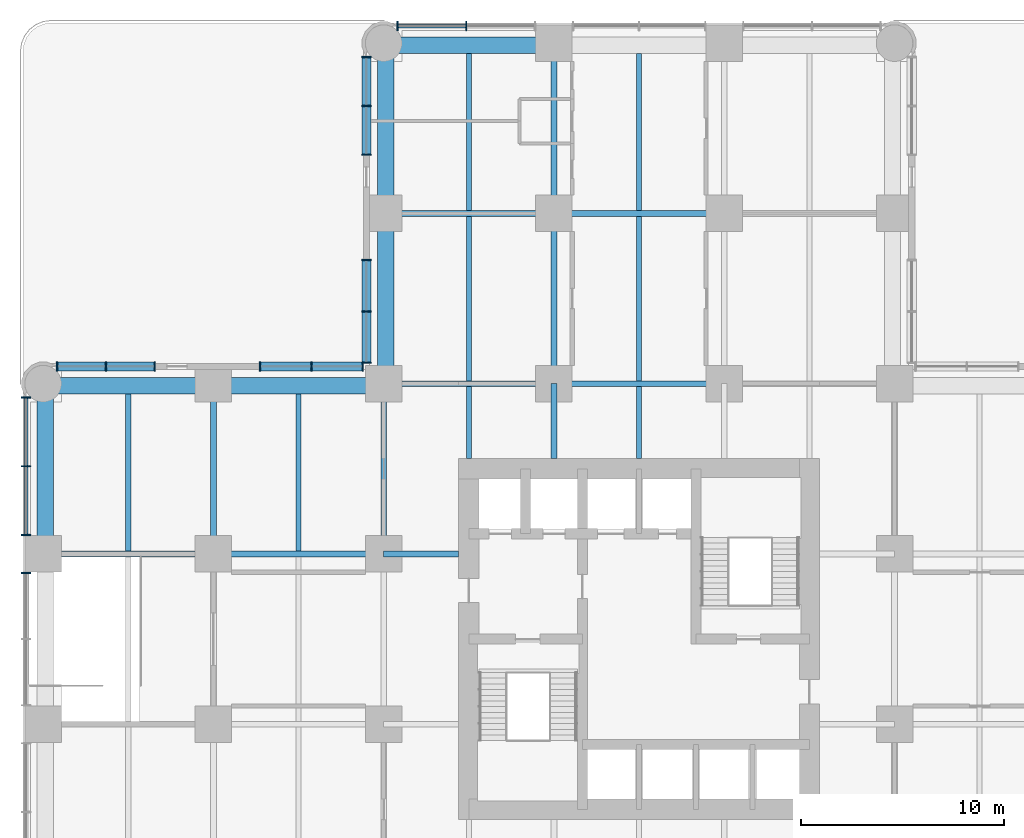
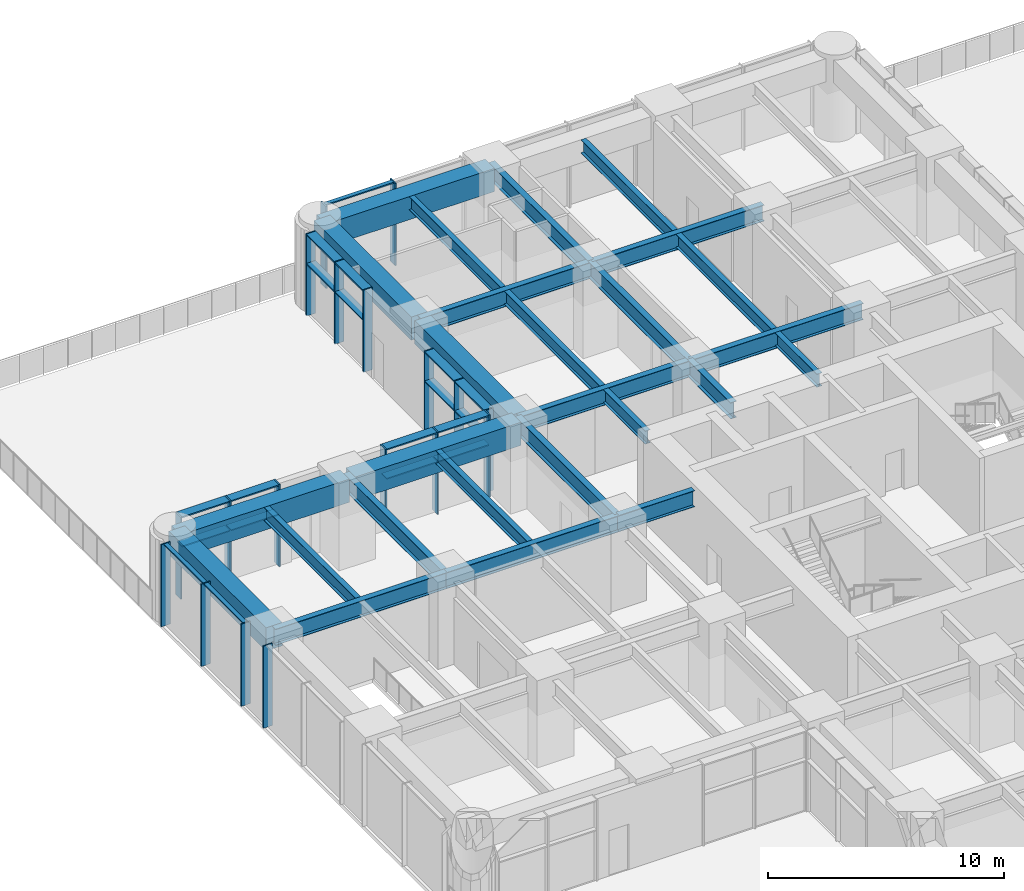
# One storey, part 5 of 21: 37 members, 26 beams, 6 elements without a shape of their own.
"""IFC4 building model written with IfcOpenShell, lengths in metres."""

from ifc_helpers import new_model, si_unit, direction, frame, origin, origin_2d, place, context, subcontext, project, spatial, rectangle, i_section, extrude, material, material_profile, profile_set, type_object, element, aggregate, save


model = new_model("IFC4")

# Units and contexts
model_context = context("Model", 3, precision=1e-05, world=origin(), true_north=direction((0.0, 1.0)))
body_context = subcontext(model_context, "Body", "Model", "MODEL_VIEW")
ifc_project = project(units=[si_unit("LENGTHUNIT", "METRE"), si_unit("AREAUNIT", "SQUARE_METRE"), si_unit("VOLUMEUNIT", "CUBIC_METRE"), si_unit("PLANEANGLEUNIT", "RADIAN"), si_unit("MASSUNIT", "GRAM", prefix="KILO")], contexts=[model_context])

# Site, building, storey
site_placement = place(None, origin())
site = spatial("IfcSite", under=ifc_project, at=site_placement, CompositionType="ELEMENT")
building_placement = place(site_placement, origin())
building = spatial("IfcBuilding", under=site, at=building_placement, Name="Torre Alcanfor", CompositionType="ELEMENT")
storey_placement = place(building_placement, frame((0.0, 0.0, 24.0)))
storey = spatial("IfcBuildingStorey", under=building, at=storey_placement, Name="L05", CompositionType="ELEMENT", Elevation=24.0)

# Curtain wall, members
ifc_material_1 = material(Name="Aluminium and glass", Category="aluminium")
curtain_wall_type_1 = type_object("IfcCurtainWallType", Name="CW-B unitised classroom glazing with vertical FIN", PredefinedType="NOTDEFINED", material=ifc_material_1)
curtain_wall_1_placement = place(storey_placement, origin())
curtain_wall_1 = element("IfcCurtainWall", 1, at=curtain_wall_1_placement, inside=storey, type_object=curtain_wall_type_1, Name="Curtain wall CW-B L05 2", PredefinedType="NOTDEFINED")
ifc_material_2 = material(Name="Bronze anodised aluminium", Category="aluminium")
ifc_material_profile_1 = material_profile(ifc_material_2, rectangle(XDim=0.449951171875, YDim=0.06494140625, at=origin_2d()), Name="CW-B mullion 65x450")
ifc_profile_set_1 = profile_set([ifc_material_profile_1], Name="Bronze anodised aluminium")
member_type_1 = type_object("IfcMemberType", Name="CW-B mullion with vertical FIN 65x450", PredefinedType="MULLION", material=ifc_profile_set_1)
member_1_placement = place(storey_placement, frame((-0.85009765625, 41.31298828125, 0.0), z_axis=(0.0, 0.0, 1.0), x_axis=(1.0, 0.0, 0.0)))
member_1 = element("IfcMember", 2, at=member_1_placement, type_object=member_type_1, Name="CW-B mullion 1.1", PredefinedType="MULLION", context=body_context, shape_type="SweptSolid", body=[
    extrude(rectangle(XDim=0.449951171875, YDim=0.06494140625, at=origin_2d()), origin(), (0.0, 0.0, 1.0), 4.25),
])
member_2_placement = place(storey_placement, frame((-0.85009765625, 37.92529296875, 0.0), z_axis=(0.0, 0.0, 1.0), x_axis=(1.0, 0.0, 0.0)))
member_2 = element("IfcMember", 3, at=member_2_placement, type_object=member_type_1, Name="CW-B mullion 1.2", PredefinedType="MULLION", context=body_context, shape_type="SweptSolid", body=[
    extrude(rectangle(XDim=0.449951171875, YDim=0.06494140625, at=origin_2d()), origin(), (0.0, 0.0, 1.0), 4.25),
])
member_3_placement = place(storey_placement, frame((-0.85009765625, 34.53759765625, 0.0), z_axis=(0.0, 0.0, 1.0), x_axis=(1.0, 0.0, 0.0)))
member_3 = element("IfcMember", 4, at=member_3_placement, type_object=member_type_1, Name="CW-B mullion 1.3", PredefinedType="MULLION", context=body_context, shape_type="SweptSolid", body=[
    extrude(rectangle(XDim=0.449951171875, YDim=0.06494140625, at=origin_2d()), origin(), (0.0, 0.0, 1.0), 4.25),
])
member_4_placement = place(storey_placement, frame((-0.85009765625, 32.66259765625, 0.0), z_axis=(0.0, 0.0, 1.0), x_axis=(1.0, 0.0, 0.0)))
member_4 = element("IfcMember", 5, at=member_4_placement, type_object=member_type_1, Name="CW-B mullion 2.1", PredefinedType="MULLION", context=body_context, shape_type="SweptSolid", body=[
    extrude(rectangle(XDim=0.449951171875, YDim=0.06494140625, at=origin_2d()), origin(), (0.0, 0.0, 1.0), 4.25),
])

curtain_wall_2_placement = place(storey_placement, origin())
curtain_wall_2 = element("IfcCurtainWall", 6, at=curtain_wall_2_placement, inside=storey, type_object=curtain_wall_type_1, Name="Curtain wall CW-B L05 11", PredefinedType="NOTDEFINED")
member_5_placement = place(storey_placement, frame((20.874755859375, 59.64990234375, 0.0), z_axis=(0.0, 0.0, 1.0), x_axis=(0.0, -1.0, 0.0)))
member_5 = element("IfcMember", 7, at=member_5_placement, type_object=member_type_1, Name="CW-B mullion 3.2", PredefinedType="MULLION", context=body_context, shape_type="SweptSolid", body=[
    extrude(rectangle(XDim=0.449951171875, YDim=0.06494140625, at=origin_2d()), origin(), (0.0, 0.0, 1.0), 4.25),
])
member_6_placement = place(storey_placement, frame((17.487060546875, 59.64990234375, 0.0), z_axis=(0.0, 0.0, 1.0), x_axis=(0.0, -1.0, 0.0)))
member_6 = element("IfcMember", 8, at=member_6_placement, type_object=member_type_1, Name="CW-B mullion 3.3", PredefinedType="MULLION", context=body_context, shape_type="SweptSolid", body=[
    extrude(rectangle(XDim=0.449951171875, YDim=0.06494140625, at=origin_2d()), origin(), (0.0, 0.0, 1.0), 4.25),
])

# Member
ifc_material_3 = material(Name="Extruded aluminium", Category="aluminium")
ifc_material_profile_2 = material_profile(ifc_material_3, rectangle(XDim=0.199951171875, YDim=0.06494140625, at=origin_2d()), Name="CW-B transom 200x65")
ifc_profile_set_2 = profile_set([ifc_material_profile_2], Name="Extruded aluminium")
member_type_2 = type_object("IfcMemberType", Name="CW-B transom 65x200", PredefinedType="USERDEFINED", material=ifc_profile_set_2)
member_7_placement = place(storey_placement, frame((-0.85009765625, 41.280517578125, 4.217529296875), z_axis=(0.0, -1.0, 0.0), x_axis=(1.0, 0.0, 0.0)))
member_7 = element("IfcMember", 9, at=member_7_placement, type_object=member_type_2, Name="CW-B transom 1.1.2", ObjectType="TRANSOM", PredefinedType="USERDEFINED", context=body_context, shape_type="SweptSolid", body=[
    extrude(rectangle(XDim=0.199951171875, YDim=0.06494140625, at=origin_2d()), origin(), (0.0, 0.0, 1.0), 3.32275390625),
])

member_8_placement = place(storey_placement, frame((-0.85009765625, 37.892822265625, 4.217529296875), z_axis=(0.0, -1.0, 0.0), x_axis=(1.0, 0.0, 0.0)))
member_8 = element("IfcMember", 10, at=member_8_placement, type_object=member_type_2, Name="CW-B transom 1.2.2", ObjectType="TRANSOM", PredefinedType="USERDEFINED", context=body_context, shape_type="SweptSolid", body=[
    extrude(rectangle(XDim=0.199951171875, YDim=0.06494140625, at=origin_2d()), origin(), (0.0, 0.0, 1.0), 3.32275390625),
])

aggregate(curtain_wall_1, [member_1, member_2, member_3, member_7, member_8, member_4])

member_9_placement = place(storey_placement, frame((20.84228515625, 59.64990234375, 4.217529296875), z_axis=(-1.0, 0.0, 0.0), x_axis=(0.0, -1.0, 0.0)))
member_9 = element("IfcMember", 11, at=member_9_placement, type_object=member_type_2, Name="CW-B transom 3.2.2", ObjectType="TRANSOM", PredefinedType="USERDEFINED", context=body_context, shape_type="SweptSolid", body=[
    extrude(rectangle(XDim=0.199951171875, YDim=0.06494140625, at=origin_2d()), origin(), (0.0, 0.0, 1.0), 3.32275390625),
])

aggregate(curtain_wall_2, [member_5, member_6, member_9])

# Curtain wall, members
ifc_material_4 = material(Name="Aluminium and glass", Category="aluminium")
curtain_wall_type_2 = type_object("IfcCurtainWallType", Name="CW-F south classroom glazing with SUNSHADE transom", PredefinedType="NOTDEFINED", material=ifc_material_4)
curtain_wall_3_placement = place(storey_placement, origin())
curtain_wall_3 = element("IfcCurtainWall", 12, at=curtain_wall_3_placement, inside=storey, type_object=curtain_wall_type_2, Name="Curtain wall CW-F L05 1", PredefinedType="NOTDEFINED")
ifc_material_5 = material(Name="Extruded aluminium", Category="aluminium")
ifc_material_profile_3 = material_profile(ifc_material_5, rectangle(XDim=0.449951171875, YDim=0.06494140625, at=origin_2d()), Name="CW-F transom 450x65")
ifc_profile_set_3 = profile_set([ifc_material_profile_3], Name="Extruded aluminium")
member_type_3 = type_object("IfcMemberType", Name="CW-F SUNSHADE transom 65x450", PredefinedType="USERDEFINED", material=ifc_profile_set_3)
member_10_placement = place(storey_placement, frame((15.735107421875, 42.85009765625, 2.699951171875), z_axis=(-1.0, 0.0, 0.0), x_axis=(0.0, -1.0, 0.0)))
member_10 = element("IfcMember", 13, at=member_10_placement, type_object=member_type_3, Name="CW-F transom 1.2", ObjectType="TRANSOM", PredefinedType="USERDEFINED", context=body_context, shape_type="SweptSolid", body=[
    extrude(rectangle(XDim=0.449951171875, YDim=0.06494140625, at=origin_2d()), origin(), (0.0, 0.0, 1.0), 2.46923828125),
])
member_11_placement = place(storey_placement, frame((15.735107421875, 42.85009765625, 4.217529296875), z_axis=(-1.0, 0.0, 0.0), x_axis=(0.0, -1.0, 0.0)))
member_11 = element("IfcMember", 14, at=member_11_placement, type_object=member_type_3, Name="CW-F transom 1.3", ObjectType="TRANSOM", PredefinedType="USERDEFINED", context=body_context, shape_type="SweptSolid", body=[
    extrude(rectangle(XDim=0.449951171875, YDim=0.06494140625, at=origin_2d()), origin(), (0.0, 0.0, 1.0), 2.46923828125),
])
member_12_placement = place(storey_placement, frame((13.200927734375, 42.85009765625, 2.699951171875), z_axis=(-1.0, 0.0, 0.0), x_axis=(0.0, -1.0, 0.0)))
member_12 = element("IfcMember", 15, at=member_12_placement, type_object=member_type_3, Name="CW-F transom 2.2", ObjectType="TRANSOM", PredefinedType="USERDEFINED", context=body_context, shape_type="SweptSolid", body=[
    extrude(rectangle(XDim=0.449951171875, YDim=0.06494140625, at=origin_2d()), origin(), (0.0, 0.0, 1.0), 2.46923828125),
])
member_13_placement = place(storey_placement, frame((13.200927734375, 42.85009765625, 4.217529296875), z_axis=(-1.0, 0.0, 0.0), x_axis=(0.0, -1.0, 0.0)))
member_13 = element("IfcMember", 16, at=member_13_placement, type_object=member_type_3, Name="CW-F transom 2.3", ObjectType="TRANSOM", PredefinedType="USERDEFINED", context=body_context, shape_type="SweptSolid", body=[
    extrude(rectangle(XDim=0.449951171875, YDim=0.06494140625, at=origin_2d()), origin(), (0.0, 0.0, 1.0), 2.46923828125),
])

curtain_wall_4_placement = place(storey_placement, origin())
curtain_wall_4 = element("IfcCurtainWall", 17, at=curtain_wall_4_placement, inside=storey, type_object=curtain_wall_type_2, Name="Curtain wall CW-F L05 1", PredefinedType="NOTDEFINED")
member_14_placement = place(storey_placement, frame((5.46826171875, 42.85009765625, 2.699951171875), z_axis=(-1.0, 0.0, 0.0), x_axis=(0.0, -1.0, 0.0)))
member_14 = element("IfcMember", 18, at=member_14_placement, type_object=member_type_3, Name="CW-F transom 1.1.2", ObjectType="TRANSOM", PredefinedType="USERDEFINED", context=body_context, shape_type="SweptSolid", body=[
    extrude(rectangle(XDim=0.449951171875, YDim=0.06494140625, at=origin_2d()), origin(), (0.0, 0.0, 1.0), 2.341796875),
])
member_15_placement = place(storey_placement, frame((5.46826171875, 42.85009765625, 4.217529296875), z_axis=(-1.0, 0.0, 0.0), x_axis=(0.0, -1.0, 0.0)))
member_15 = element("IfcMember", 19, at=member_15_placement, type_object=member_type_3, Name="CW-F transom 1.1.3", ObjectType="TRANSOM", PredefinedType="USERDEFINED", context=body_context, shape_type="SweptSolid", body=[
    extrude(rectangle(XDim=0.449951171875, YDim=0.06494140625, at=origin_2d()), origin(), (0.0, 0.0, 1.0), 2.341796875),
])
member_16_placement = place(storey_placement, frame((3.061279296875, 42.85009765625, 2.699951171875), z_axis=(-1.0, 0.0, 0.0), x_axis=(0.0, -1.0, 0.0)))
member_16 = element("IfcMember", 20, at=member_16_placement, type_object=member_type_3, Name="CW-F transom 1.2.2", ObjectType="TRANSOM", PredefinedType="USERDEFINED", context=body_context, shape_type="SweptSolid", body=[
    extrude(rectangle(XDim=0.449951171875, YDim=0.06494140625, at=origin_2d()), origin(), (0.0, 0.0, 1.0), 2.341796875),
])
member_17_placement = place(storey_placement, frame((3.061279296875, 42.85009765625, 4.217529296875), z_axis=(-1.0, 0.0, 0.0), x_axis=(0.0, -1.0, 0.0)))
member_17 = element("IfcMember", 21, at=member_17_placement, type_object=member_type_3, Name="CW-F transom 1.2.3", ObjectType="TRANSOM", PredefinedType="USERDEFINED", context=body_context, shape_type="SweptSolid", body=[
    extrude(rectangle(XDim=0.449951171875, YDim=0.06494140625, at=origin_2d()), origin(), (0.0, 0.0, 1.0), 2.341796875),
])

curtain_wall_5_placement = place(storey_placement, origin())
curtain_wall_5 = element("IfcCurtainWall", 22, at=curtain_wall_5_placement, inside=storey, type_object=curtain_wall_type_2, Name="Curtain wall CW-F L05 12", PredefinedType="NOTDEFINED")
member_18_placement = place(storey_placement, frame((15.949951171875, 58.08056640625, 2.699951171875), z_axis=(0.0, -1.0, 0.0), x_axis=(1.0, 0.0, 0.0)))
member_18 = element("IfcMember", 23, at=member_18_placement, type_object=member_type_3, Name="CW-F transom 1.1.2", ObjectType="TRANSOM", PredefinedType="USERDEFINED", context=body_context, shape_type="SweptSolid", body=[
    extrude(rectangle(XDim=0.449951171875, YDim=0.06494140625, at=origin_2d()), origin(), (0.0, 0.0, 1.0), 2.342041015625),
])
member_19_placement = place(storey_placement, frame((15.949951171875, 58.08056640625, 4.217529296875), z_axis=(0.0, -1.0, 0.0), x_axis=(1.0, 0.0, 0.0)))
member_19 = element("IfcMember", 24, at=member_19_placement, type_object=member_type_3, Name="CW-F transom 1.1.3", ObjectType="TRANSOM", PredefinedType="USERDEFINED", context=body_context, shape_type="SweptSolid", body=[
    extrude(rectangle(XDim=0.449951171875, YDim=0.06494140625, at=origin_2d()), origin(), (0.0, 0.0, 1.0), 2.342041015625),
])
member_20_placement = place(storey_placement, frame((15.949951171875, 55.673583984375, 2.699951171875), z_axis=(0.0, -1.0, 0.0), x_axis=(1.0, 0.0, 0.0)))
member_20 = element("IfcMember", 25, at=member_20_placement, type_object=member_type_3, Name="CW-F transom 1.2.2", ObjectType="TRANSOM", PredefinedType="USERDEFINED", context=body_context, shape_type="SweptSolid", body=[
    extrude(rectangle(XDim=0.449951171875, YDim=0.06494140625, at=origin_2d()), origin(), (0.0, 0.0, 1.0), 2.341796875),
])
member_21_placement = place(storey_placement, frame((15.949951171875, 55.673583984375, 4.217529296875), z_axis=(0.0, -1.0, 0.0), x_axis=(1.0, 0.0, 0.0)))
member_21 = element("IfcMember", 26, at=member_21_placement, type_object=member_type_3, Name="CW-F transom 1.2.3", ObjectType="TRANSOM", PredefinedType="USERDEFINED", context=body_context, shape_type="SweptSolid", body=[
    extrude(rectangle(XDim=0.449951171875, YDim=0.06494140625, at=origin_2d()), origin(), (0.0, 0.0, 1.0), 2.341796875),
])

curtain_wall_6_placement = place(storey_placement, origin())
curtain_wall_6 = element("IfcCurtainWall", 27, at=curtain_wall_6_placement, inside=storey, type_object=curtain_wall_type_2, Name="Curtain wall CW-F L05 12", PredefinedType="NOTDEFINED")
member_22_placement = place(storey_placement, frame((15.949951171875, 48.068359375, 2.699951171875), z_axis=(0.0, -1.0, 0.0), x_axis=(1.0, 0.0, 0.0)))
member_22 = element("IfcMember", 28, at=member_22_placement, type_object=member_type_3, Name="CW-F transom 1.2", ObjectType="TRANSOM", PredefinedType="USERDEFINED", context=body_context, shape_type="SweptSolid", body=[
    extrude(rectangle(XDim=0.449951171875, YDim=0.06494140625, at=origin_2d()), origin(), (0.0, 0.0, 1.0), 2.46923828125),
])
member_23_placement = place(storey_placement, frame((15.949951171875, 48.068359375, 4.217529296875), z_axis=(0.0, -1.0, 0.0), x_axis=(1.0, 0.0, 0.0)))
member_23 = element("IfcMember", 29, at=member_23_placement, type_object=member_type_3, Name="CW-F transom 1.3", ObjectType="TRANSOM", PredefinedType="USERDEFINED", context=body_context, shape_type="SweptSolid", body=[
    extrude(rectangle(XDim=0.449951171875, YDim=0.06494140625, at=origin_2d()), origin(), (0.0, 0.0, 1.0), 2.46923828125),
])
member_24_placement = place(storey_placement, frame((15.949951171875, 45.5341796875, 2.699951171875), z_axis=(0.0, -1.0, 0.0), x_axis=(1.0, 0.0, 0.0)))
member_24 = element("IfcMember", 30, at=member_24_placement, type_object=member_type_3, Name="CW-F transom 2.2", ObjectType="TRANSOM", PredefinedType="USERDEFINED", context=body_context, shape_type="SweptSolid", body=[
    extrude(rectangle(XDim=0.449951171875, YDim=0.06494140625, at=origin_2d()), origin(), (0.0, 0.0, 1.0), 2.46923828125),
])
member_25_placement = place(storey_placement, frame((15.949951171875, 45.5341796875, 4.217529296875), z_axis=(0.0, -1.0, 0.0), x_axis=(1.0, 0.0, 0.0)))
member_25 = element("IfcMember", 31, at=member_25_placement, type_object=member_type_3, Name="CW-F transom 2.3", ObjectType="TRANSOM", PredefinedType="USERDEFINED", context=body_context, shape_type="SweptSolid", body=[
    extrude(rectangle(XDim=0.449951171875, YDim=0.06494140625, at=origin_2d()), origin(), (0.0, 0.0, 1.0), 2.46923828125),
])

# Member
ifc_material_6 = material(Name="Bronze anodised aluminium", Category="aluminium")
ifc_material_profile_4 = material_profile(ifc_material_6, rectangle(XDim=0.449951171875, YDim=0.06494140625, at=origin_2d()), Name="CW-F mullion 65x450")
ifc_profile_set_4 = profile_set([ifc_material_profile_4], Name="Bronze anodised aluminium")
member_type_4 = type_object("IfcMemberType", Name="CW-F mullion with vertical FIN 65x450", PredefinedType="MULLION", material=ifc_profile_set_4)
member_26_placement = place(storey_placement, frame((15.767578125, 42.85009765625, 0.0), z_axis=(0.0, 0.0, 1.0), x_axis=(0.0, -1.0, 0.0)))
member_26 = element("IfcMember", 32, at=member_26_placement, type_object=member_type_4, Name="CW-F mullion 1", PredefinedType="MULLION", context=body_context, shape_type="SweptSolid", body=[
    extrude(rectangle(XDim=0.449951171875, YDim=0.06494140625, at=origin_2d()), origin(), (0.0, 0.0, 1.0), 4.25),
])

member_27_placement = place(storey_placement, frame((13.2333984375, 42.85009765625, 0.0), z_axis=(0.0, 0.0, 1.0), x_axis=(0.0, -1.0, 0.0)))
member_27 = element("IfcMember", 33, at=member_27_placement, type_object=member_type_4, Name="CW-F mullion 2", PredefinedType="MULLION", context=body_context, shape_type="SweptSolid", body=[
    extrude(rectangle(XDim=0.449951171875, YDim=0.06494140625, at=origin_2d()), origin(), (0.0, 0.0, 1.0), 4.25),
])

member_28_placement = place(storey_placement, frame((10.69921875, 42.85009765625, 0.0), z_axis=(0.0, 0.0, 1.0), x_axis=(0.0, -1.0, 0.0)))
member_28 = element("IfcMember", 34, at=member_28_placement, type_object=member_type_4, Name="CW-F mullion 3", PredefinedType="MULLION", context=body_context, shape_type="SweptSolid", body=[
    extrude(rectangle(XDim=0.449951171875, YDim=0.06494140625, at=origin_2d()), origin(), (0.0, 0.0, 1.0), 4.25),
])

aggregate(curtain_wall_3, [member_26, member_27, member_28, member_10, member_11, member_12, member_13])

member_29_placement = place(storey_placement, frame((5.500732421875, 42.85009765625, 0.0), z_axis=(0.0, 0.0, 1.0), x_axis=(0.0, -1.0, 0.0)))
member_29 = element("IfcMember", 35, at=member_29_placement, type_object=member_type_4, Name="CW-F mullion 1.1", PredefinedType="MULLION", context=body_context, shape_type="SweptSolid", body=[
    extrude(rectangle(XDim=0.449951171875, YDim=0.06494140625, at=origin_2d()), origin(), (0.0, 0.0, 1.0), 4.25),
])

member_30_placement = place(storey_placement, frame((3.093994140625, 42.85009765625, 0.0), z_axis=(0.0, 0.0, 1.0), x_axis=(0.0, -1.0, 0.0)))
member_30 = element("IfcMember", 36, at=member_30_placement, type_object=member_type_4, Name="CW-F mullion 1.2", PredefinedType="MULLION", context=body_context, shape_type="SweptSolid", body=[
    extrude(rectangle(XDim=0.449951171875, YDim=0.06494140625, at=origin_2d()), origin(), (0.0, 0.0, 1.0), 4.25),
])

member_31_placement = place(storey_placement, frame((0.68701171875, 42.85009765625, 0.0), z_axis=(0.0, 0.0, 1.0), x_axis=(0.0, -1.0, 0.0)))
member_31 = element("IfcMember", 37, at=member_31_placement, type_object=member_type_4, Name="CW-F mullion 1.3", PredefinedType="MULLION", context=body_context, shape_type="SweptSolid", body=[
    extrude(rectangle(XDim=0.449951171875, YDim=0.06494140625, at=origin_2d()), origin(), (0.0, 0.0, 1.0), 4.25),
])

aggregate(curtain_wall_4, [member_29, member_30, member_31, member_14, member_15, member_16, member_17])

member_32_placement = place(storey_placement, frame((15.949951171875, 58.113037109375, 0.0), z_axis=(0.0, 0.0, 1.0), x_axis=(1.0, 0.0, 0.0)))
member_32 = element("IfcMember", 38, at=member_32_placement, type_object=member_type_4, Name="CW-F mullion 1.1", PredefinedType="MULLION", context=body_context, shape_type="SweptSolid", body=[
    extrude(rectangle(XDim=0.449951171875, YDim=0.06494140625, at=origin_2d()), origin(), (0.0, 0.0, 1.0), 4.25),
])

member_33_placement = place(storey_placement, frame((15.949951171875, 55.7060546875, 0.0), z_axis=(0.0, 0.0, 1.0), x_axis=(1.0, 0.0, 0.0)))
member_33 = element("IfcMember", 39, at=member_33_placement, type_object=member_type_4, Name="CW-F mullion 1.2", PredefinedType="MULLION", context=body_context, shape_type="SweptSolid", body=[
    extrude(rectangle(XDim=0.449951171875, YDim=0.06494140625, at=origin_2d()), origin(), (0.0, 0.0, 1.0), 4.25),
])

member_34_placement = place(storey_placement, frame((15.949951171875, 53.29931640625, 0.0), z_axis=(0.0, 0.0, 1.0), x_axis=(1.0, 0.0, 0.0)))
member_34 = element("IfcMember", 40, at=member_34_placement, type_object=member_type_4, Name="CW-F mullion 1.3", PredefinedType="MULLION", context=body_context, shape_type="SweptSolid", body=[
    extrude(rectangle(XDim=0.449951171875, YDim=0.06494140625, at=origin_2d()), origin(), (0.0, 0.0, 1.0), 4.25),
])

aggregate(curtain_wall_5, [member_32, member_33, member_34, member_18, member_19, member_20, member_21])

member_35_placement = place(storey_placement, frame((15.949951171875, 48.100830078125, 0.0), z_axis=(0.0, 0.0, 1.0), x_axis=(1.0, 0.0, 0.0)))
member_35 = element("IfcMember", 41, at=member_35_placement, type_object=member_type_4, Name="CW-F mullion 1", PredefinedType="MULLION", context=body_context, shape_type="SweptSolid", body=[
    extrude(rectangle(XDim=0.449951171875, YDim=0.06494140625, at=origin_2d()), origin(), (0.0, 0.0, 1.0), 4.25),
])

member_36_placement = place(storey_placement, frame((15.949951171875, 45.566650390625, 0.0), z_axis=(0.0, 0.0, 1.0), x_axis=(1.0, 0.0, 0.0)))
member_36 = element("IfcMember", 42, at=member_36_placement, type_object=member_type_4, Name="CW-F mullion 2", PredefinedType="MULLION", context=body_context, shape_type="SweptSolid", body=[
    extrude(rectangle(XDim=0.449951171875, YDim=0.06494140625, at=origin_2d()), origin(), (0.0, 0.0, 1.0), 4.25),
])

member_37_placement = place(storey_placement, frame((15.949951171875, 43.032470703125, 0.0), z_axis=(0.0, 0.0, 1.0), x_axis=(1.0, 0.0, 0.0)))
member_37 = element("IfcMember", 43, at=member_37_placement, type_object=member_type_4, Name="CW-F mullion 3", PredefinedType="MULLION", context=body_context, shape_type="SweptSolid", body=[
    extrude(rectangle(XDim=0.449951171875, YDim=0.06494140625, at=origin_2d()), origin(), (0.0, 0.0, 1.0), 4.25),
])

aggregate(curtain_wall_6, [member_35, member_36, member_37, member_22, member_23, member_24, member_25])

# Beams
ifc_material_7 = material(Name="Steel ASTM A992 Grade 50", Category="steel")
ifc_material_profile_5 = material_profile(ifc_material_7, i_section(OverallWidth=0.2919921875, OverallDepth=0.8408203125, WebThickness=0.0146484375, FlangeThickness=0.021728515625, at=origin_2d()), Name="W33x130")
ifc_profile_set_5 = profile_set([ifc_material_profile_5], Name="Steel ASTM A992 Grade 50")
beam_type_1 = type_object("IfcBeamType", Name="Girder W33x130", PredefinedType="BEAM", material=ifc_profile_set_5)
beam_1_placement = place(storey_placement, frame((0.0, 33.60009765625, 3.82958984375), z_axis=(1.0, 0.0, 0.0), x_axis=(0.0, 1.0, 0.0)))
element("IfcBeam", 44, at=beam_1_placement, inside=storey, type_object=beam_type_1, Name="Beam 1G-2G under L06", PredefinedType="BEAM", context=body_context, shape_type="SweptSolid", body=[
    extrude(i_section(OverallWidth=0.2919921875, OverallDepth=0.8408203125, WebThickness=0.0146484375, FlangeThickness=0.021728515625, at=origin_2d()), origin(), (0.0, 0.0, 1.0), 8.39990234375),
])
beam_2_placement = place(storey_placement, frame((8.39990234375, 33.60009765625, 3.82958984375), z_axis=(1.0, 0.0, 0.0), x_axis=(0.0, 1.0, 0.0)))
element("IfcBeam", 45, at=beam_2_placement, inside=storey, type_object=beam_type_1, Name="Beam 2G-3G under L06", PredefinedType="BEAM", context=body_context, shape_type="SweptSolid", body=[
    extrude(i_section(OverallWidth=0.2919921875, OverallDepth=0.8408203125, WebThickness=0.0146484375, FlangeThickness=0.021728515625, at=origin_2d()), origin(), (0.0, 0.0, 1.0), 8.400146484375),
])
beam_3_placement = place(storey_placement, frame((16.800048828125, 42.0, 3.82958984375), z_axis=(1.0, 0.0, 0.0), x_axis=(0.0, 1.0, 0.0)))
element("IfcBeam", 46, at=beam_3_placement, inside=storey, type_object=beam_type_1, Name="Beam 3H-4H under L06", PredefinedType="BEAM", context=body_context, shape_type="SweptSolid", body=[
    extrude(i_section(OverallWidth=0.2919921875, OverallDepth=0.8408203125, WebThickness=0.0146484375, FlangeThickness=0.021728515625, at=origin_2d()), origin(), (0.0, 0.0, 1.0), 8.39990234375),
])
beam_4_placement = place(storey_placement, frame((25.199951171875, 42.0, 3.82958984375), z_axis=(1.0, 0.0, 0.0), x_axis=(0.0, 1.0, 0.0)))
element("IfcBeam", 47, at=beam_4_placement, inside=storey, type_object=beam_type_1, Name="Beam 4H-5H under L06", PredefinedType="BEAM", context=body_context, shape_type="SweptSolid", body=[
    extrude(i_section(OverallWidth=0.2919921875, OverallDepth=0.8408203125, WebThickness=0.0146484375, FlangeThickness=0.021728515625, at=origin_2d()), origin(), (0.0, 0.0, 1.0), 8.400146484375),
])
beam_5_placement = place(storey_placement, frame((16.800048828125, 50.39990234375, 3.82958984375), z_axis=(1.0, 0.0, 0.0), x_axis=(0.0, 1.0, 0.0)))
element("IfcBeam", 48, at=beam_5_placement, inside=storey, type_object=beam_type_1, Name="Beam 3J-4J under L06", PredefinedType="BEAM", context=body_context, shape_type="SweptSolid", body=[
    extrude(i_section(OverallWidth=0.2919921875, OverallDepth=0.8408203125, WebThickness=0.0146484375, FlangeThickness=0.021728515625, at=origin_2d()), origin(), (0.0, 0.0, 1.0), 8.39990234375),
])
beam_6_placement = place(storey_placement, frame((25.199951171875, 50.39990234375, 3.82958984375), z_axis=(1.0, 0.0, 0.0), x_axis=(0.0, 1.0, 0.0)))
element("IfcBeam", 49, at=beam_6_placement, inside=storey, type_object=beam_type_1, Name="Beam 4J-5J under L06", PredefinedType="BEAM", context=body_context, shape_type="SweptSolid", body=[
    extrude(i_section(OverallWidth=0.2919921875, OverallDepth=0.8408203125, WebThickness=0.0146484375, FlangeThickness=0.021728515625, at=origin_2d()), origin(), (0.0, 0.0, 1.0), 8.400146484375),
])
for number, where, z_axis, x_axis, name in (
    (50, (8.39990234375, 33.60009765625, 3.82958984375), (0.0, 1.0, 0.0), (-1.0, 0.0, 0.0), "Beam 2G-2H under L06"),
    (51, (16.800048828125, 33.60009765625, 3.82958984375), (0.0, 1.0, 0.0), (-1.0, 0.0, 0.0), "Beam 3G-3H under L06"),
    (52, (25.199951171875, 42.0, 3.82958984375), (0.0, 1.0, 0.0), (-1.0, 0.0, 0.0), "Beam 4H-4J under L06"),
):
    element("IfcBeam", number, at=place(storey_placement, frame(where, z_axis=z_axis, x_axis=x_axis)), inside=storey, type_object=beam_type_1, Name=name, PredefinedType="BEAM", context=body_context, shape_type="SweptSolid", body=[
        extrude(i_section(OverallWidth=0.2919921875, OverallDepth=0.8408203125, WebThickness=0.0146484375, FlangeThickness=0.021728515625, at=origin_2d()), origin(), (0.0, 0.0, 1.0), 8.39990234375),
    ])
beam_7_placement = place(storey_placement, frame((25.199951171875, 50.39990234375, 3.82958984375), z_axis=(0.0, 1.0, 0.0), x_axis=(-1.0, 0.0, 0.0)))
element("IfcBeam", 53, at=beam_7_placement, inside=storey, type_object=beam_type_1, Name="Beam 4J-4K under L06", PredefinedType="BEAM", context=body_context, shape_type="SweptSolid", body=[
    extrude(i_section(OverallWidth=0.2919921875, OverallDepth=0.8408203125, WebThickness=0.0146484375, FlangeThickness=0.021728515625, at=origin_2d()), origin(), (0.0, 0.0, 1.0), 8.400146484375),
])
ifc_material_8 = material(Name="Steel ASTM A992 Grade 50", Category="steel")
ifc_material_profile_6 = material_profile(ifc_material_8, i_section(OverallWidth=0.2919921875, OverallDepth=0.8408203125, WebThickness=0.0146484375, FlangeThickness=0.021728515625, at=origin_2d()), Name="W33x130")
ifc_profile_set_6 = profile_set([ifc_material_profile_6], Name="Steel ASTM A992 Grade 50")
beam_type_2 = type_object("IfcBeamType", Name="Girder, part bay W33x130", PredefinedType="BEAM", material=ifc_profile_set_6)
for number, where, z_axis, x_axis, name in (
    (54, (25.199951171875, 42.0, 3.82958984375), (0.0, -1.0, 0.0), (1.0, 0.0, 0.0), "Beam 4H-438_3 under L06"),
    (55, (16.800048828125, 33.60009765625, 3.82958984375), (1.0, 0.0, 0.0), (0.0, 1.0, 0.0), "Beam 3G-20_5G under L06"),
):
    element("IfcBeam", number, at=place(storey_placement, frame(where, z_axis=z_axis, x_axis=x_axis)), inside=storey, type_object=beam_type_2, Name=name, PredefinedType="BEAM", context=body_context, shape_type="SweptSolid", body=[
        extrude(i_section(OverallWidth=0.2919921875, OverallDepth=0.8408203125, WebThickness=0.0146484375, FlangeThickness=0.021728515625, at=origin_2d()), origin(), (0.0, 0.0, 1.0), 3.699951171875),
    ])
ifc_material_9 = material(Name="Concrete f'c 70 MPa", Category="concrete")
ifc_material_profile_7 = material_profile(ifc_material_9, rectangle(XDim=0.800048828125, YDim=1.199951171875, at=origin_2d()), Name="800x1200")
ifc_profile_set_7 = profile_set([ifc_material_profile_7], Name="Concrete f'c 70 MPa")
beam_type_3 = type_object("IfcBeamType", Name="RC perimeter beam 800x1200", PredefinedType="BEAM", material=ifc_profile_set_7)
beam_8_placement = place(storey_placement, frame((0.0, 41.89990234375, 3.64990234375), z_axis=(1.0, 0.0, 0.0), x_axis=(0.0, 1.0, 0.0)))
element("IfcBeam", 56, at=beam_8_placement, inside=storey, type_object=beam_type_3, Name="Beam 1H-2H under L06", PredefinedType="BEAM", context=body_context, shape_type="SweptSolid", body=[
    extrude(rectangle(XDim=0.800048828125, YDim=1.199951171875, at=origin_2d()), origin(), (0.0, 0.0, 1.0), 8.25390625),
])
beam_9_placement = place(storey_placement, frame((8.5458984375, 41.89990234375, 3.64990234375), z_axis=(1.0, 0.0, 0.0), x_axis=(0.0, 1.0, 0.0)))
element("IfcBeam", 57, at=beam_9_placement, inside=storey, type_object=beam_type_3, Name="Beam 2H-3H under L06", PredefinedType="BEAM", context=body_context, shape_type="SweptSolid", body=[
    extrude(rectangle(XDim=0.800048828125, YDim=1.199951171875, at=origin_2d()), origin(), (0.0, 0.0, 1.0), 8.108154296875),
])
for number, where, z_axis, x_axis, name in (
    (58, (16.800048828125, 58.699951171875, 3.64990234375), (1.0, 0.0, 0.0), (0.0, 1.0, 0.0), "Beam 3K-4K under L06"),
    (59, (0.10009765625, 33.74609375, 3.64990234375), (0.0, 1.0, 0.0), (-1.0, 0.0, 0.0), "Beam 1G-1H under L06"),
):
    element("IfcBeam", number, at=place(storey_placement, frame(where, z_axis=z_axis, x_axis=x_axis)), inside=storey, type_object=beam_type_3, Name=name, PredefinedType="BEAM", context=body_context, shape_type="SweptSolid", body=[
        extrude(rectangle(XDim=0.800048828125, YDim=1.199951171875, at=origin_2d()), origin(), (0.0, 0.0, 1.0), 8.25390625),
    ])
beam_10_placement = place(storey_placement, frame((16.89990234375, 42.14599609375, 3.64990234375), z_axis=(0.0, 1.0, 0.0), x_axis=(-1.0, 0.0, 0.0)))
element("IfcBeam", 60, at=beam_10_placement, inside=storey, type_object=beam_type_3, Name="Beam 3H-3J under L06", PredefinedType="BEAM", context=body_context, shape_type="SweptSolid", body=[
    extrude(rectangle(XDim=0.800048828125, YDim=1.199951171875, at=origin_2d()), origin(), (0.0, 0.0, 1.0), 8.10791015625),
])
beam_11_placement = place(storey_placement, frame((16.89990234375, 50.5458984375, 3.64990234375), z_axis=(0.0, 1.0, 0.0), x_axis=(-1.0, 0.0, 0.0)))
element("IfcBeam", 61, at=beam_11_placement, inside=storey, type_object=beam_type_3, Name="Beam 3J-3K under L06", PredefinedType="BEAM", context=body_context, shape_type="SweptSolid", body=[
    extrude(rectangle(XDim=0.800048828125, YDim=1.199951171875, at=origin_2d()), origin(), (0.0, 0.0, 1.0), 8.254150390625),
])
ifc_material_10 = material(Name="Steel ASTM A992 Grade 50", Category="steel")
ifc_material_profile_8 = material_profile(ifc_material_10, i_section(OverallWidth=0.25390625, OverallDepth=0.683349609375, WebThickness=0.012451171875, FlangeThickness=0.01904296875, at=origin_2d()), Name="W27x94")
ifc_profile_set_8 = profile_set([ifc_material_profile_8], Name="Steel ASTM A992 Grade 50")
beam_type_4 = type_object("IfcBeamType", Name="Secondary beam W27x94", PredefinedType="BEAM", material=ifc_profile_set_8)
for number, where, z_axis, x_axis, name in (
    (62, (4.199951171875, 33.74609375, 3.908447265625), (0.0, 1.0, 0.0), (-1.0, 0.0, 0.0), "Beam 4_2G-4_2H under L06"),
    (63, (12.60009765625, 33.74609375, 3.908447265625), (0.0, 1.0, 0.0), (-1.0, 0.0, 0.0), "Beam 12_6G-12_6H under L06"),
):
    element("IfcBeam", number, at=place(storey_placement, frame(where, z_axis=z_axis, x_axis=x_axis)), inside=storey, type_object=beam_type_4, Name=name, PredefinedType="BEAM", context=body_context, shape_type="SweptSolid", body=[
        extrude(i_section(OverallWidth=0.25390625, OverallDepth=0.683349609375, WebThickness=0.012451171875, FlangeThickness=0.01904296875, at=origin_2d()), origin(), (0.0, 0.0, 1.0), 7.75390625),
    ])
beam_12_placement = place(storey_placement, frame((21.0, 42.14599609375, 3.908447265625), z_axis=(0.0, 1.0, 0.0), x_axis=(-1.0, 0.0, 0.0)))
element("IfcBeam", 64, at=beam_12_placement, inside=storey, type_object=beam_type_4, Name="Beam 21H-21J under L06", PredefinedType="BEAM", context=body_context, shape_type="SweptSolid", body=[
    extrude(i_section(OverallWidth=0.25390625, OverallDepth=0.683349609375, WebThickness=0.012451171875, FlangeThickness=0.01904296875, at=origin_2d()), origin(), (0.0, 0.0, 1.0), 8.10791015625),
])
beam_13_placement = place(storey_placement, frame((21.0, 50.5458984375, 3.908447265625), z_axis=(0.0, 1.0, 0.0), x_axis=(-1.0, 0.0, 0.0)))
element("IfcBeam", 65, at=beam_13_placement, inside=storey, type_object=beam_type_4, Name="Beam 21J-21K under L06", PredefinedType="BEAM", context=body_context, shape_type="SweptSolid", body=[
    extrude(i_section(OverallWidth=0.25390625, OverallDepth=0.683349609375, WebThickness=0.012451171875, FlangeThickness=0.01904296875, at=origin_2d()), origin(), (0.0, 0.0, 1.0), 7.754150390625),
])
beam_14_placement = place(storey_placement, frame((29.39990234375, 42.14599609375, 3.908447265625), z_axis=(0.0, 1.0, 0.0), x_axis=(-1.0, 0.0, 0.0)))
element("IfcBeam", 66, at=beam_14_placement, inside=storey, type_object=beam_type_4, Name="Beam 29_4H-29_4J under L06", PredefinedType="BEAM", context=body_context, shape_type="SweptSolid", body=[
    extrude(i_section(OverallWidth=0.25390625, OverallDepth=0.683349609375, WebThickness=0.012451171875, FlangeThickness=0.01904296875, at=origin_2d()), origin(), (0.0, 0.0, 1.0), 8.10791015625),
])
beam_15_placement = place(storey_placement, frame((29.39990234375, 50.5458984375, 3.908447265625), z_axis=(0.0, 1.0, 0.0), x_axis=(-1.0, 0.0, 0.0)))
element("IfcBeam", 67, at=beam_15_placement, inside=storey, type_object=beam_type_4, Name="Beam 29_4J-29_4K under L06", PredefinedType="BEAM", context=body_context, shape_type="SweptSolid", body=[
    extrude(i_section(OverallWidth=0.25390625, OverallDepth=0.683349609375, WebThickness=0.012451171875, FlangeThickness=0.01904296875, at=origin_2d()), origin(), (0.0, 0.0, 1.0), 7.754150390625),
])
ifc_material_11 = material(Name="Steel ASTM A992 Grade 50", Category="steel")
ifc_material_profile_9 = material_profile(ifc_material_11, i_section(OverallWidth=0.25390625, OverallDepth=0.683349609375, WebThickness=0.012451171875, FlangeThickness=0.01904296875, at=origin_2d()), Name="W27x94")
ifc_profile_set_9 = profile_set([ifc_material_profile_9], Name="Steel ASTM A992 Grade 50")
beam_type_5 = type_object("IfcBeamType", Name="Secondary beam, part bay W27x94", PredefinedType="BEAM", material=ifc_profile_set_9)
for number, where, z_axis, x_axis, name in (
    (68, (21.0, 38.300048828125, 3.908447265625), (0.0, 1.0, 0.0), (-1.0, 0.0, 0.0), "Beam 2138_3-21H under L06"),
    (69, (29.39990234375, 38.300048828125, 3.908447265625), (0.0, 1.0, 0.0), (-1.0, 0.0, 0.0), "Beam 29_438_3-29_4H under L06"),
):
    element("IfcBeam", number, at=place(storey_placement, frame(where, z_axis=z_axis, x_axis=x_axis)), inside=storey, type_object=beam_type_5, Name=name, PredefinedType="BEAM", context=body_context, shape_type="SweptSolid", body=[
        extrude(i_section(OverallWidth=0.25390625, OverallDepth=0.683349609375, WebThickness=0.012451171875, FlangeThickness=0.01904296875, at=origin_2d()), origin(), (0.0, 0.0, 1.0), 3.553955078125),
    ])

save(model, "model.ifc")
